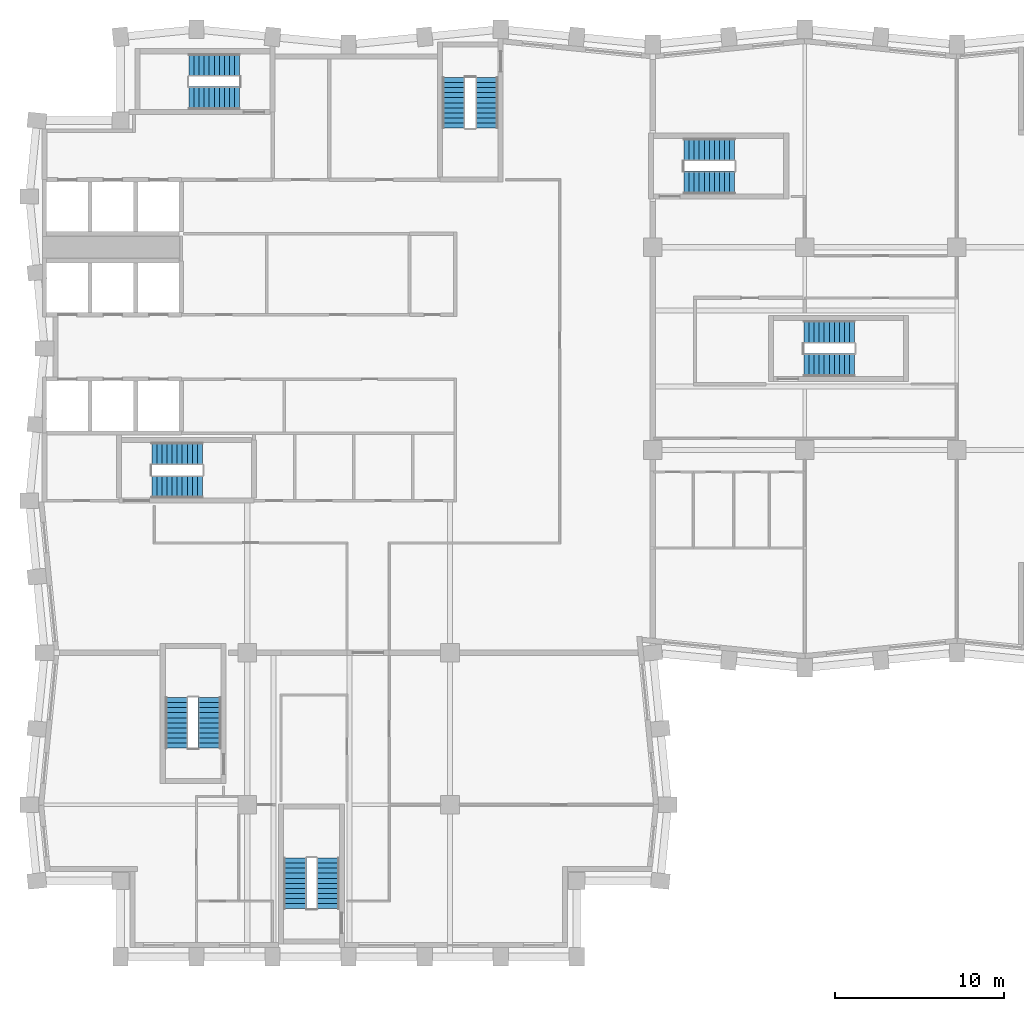
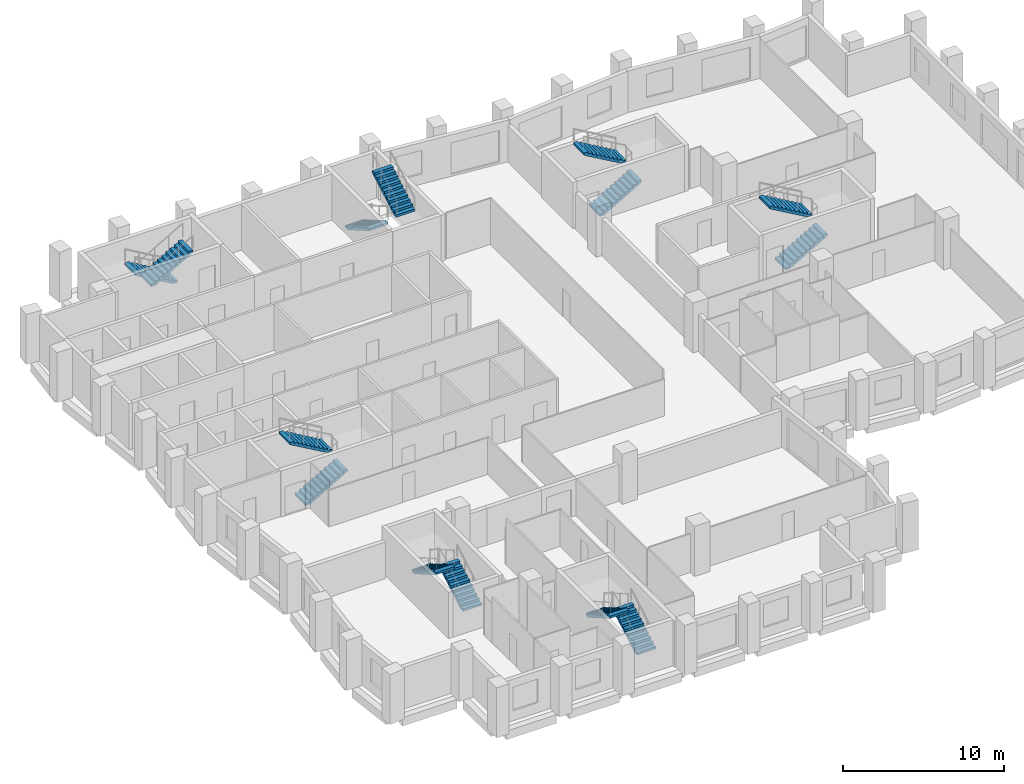
# One storey, part 8 of 10: 14 stair flights, 7 elements without a shape of their own.
"""IFC4 building model written with IfcOpenShell, lengths in metres."""

from ifc_helpers import new_model, si_unit, direction, frame, origin, place, context, subcontext, project, spatial, polyline, outline, extrude, material, type_object, element, aggregate, save


model = new_model("IFC4")

# Units and contexts
model_context = context("Model", 3, precision=1e-05, world=origin(), true_north=direction((0.0, 1.0)))
body_context = subcontext(model_context, "Body", "Model", "MODEL_VIEW")
ifc_project = project(units=[si_unit("LENGTHUNIT", "METRE"), si_unit("AREAUNIT", "SQUARE_METRE"), si_unit("VOLUMEUNIT", "CUBIC_METRE"), si_unit("PLANEANGLEUNIT", "RADIAN"), si_unit("MASSUNIT", "GRAM", prefix="KILO")], contexts=[model_context])

# Site, building, storey
site_placement = place(None, origin())
site = spatial("IfcSite", under=ifc_project, at=site_placement, CompositionType="ELEMENT")
building_placement = place(site_placement, origin())
building = spatial("IfcBuilding", under=site, at=building_placement, Name="Brondeck Convention Tower", CompositionType="ELEMENT")
storey_placement = place(building_placement, frame((0.0, 0.0, 147.199951171875)))
storey = spatial("IfcBuildingStorey", under=building, at=storey_placement, Name="L35", CompositionType="ELEMENT", Elevation=147.199951171875)

# Stair, stair flights
ifc_material = material(Name="Precast concrete C50/60", Category="concrete")
stair_type = type_object("IfcStairType", Name="Core stair 22 risers 172.73 mm riser 300 mm going 1350 wide", PredefinedType="HALF_TURN_STAIR", material=ifc_material)
stair_1_placement = place(storey_placement, origin())
stair_1 = element("IfcStair", 1, at=stair_1_placement, inside=storey, type_object=stair_type, Name="ST-1 L35 stair", PredefinedType="HALF_TURN_STAIR")
stair_flight_type = type_object("IfcStairFlightType", Name="Core stair flight 22 risers 172.73 mm riser 300 mm going 1350 wide", PredefinedType="STRAIGHT", material=ifc_material)
stair_flight_1_placement = place(storey_placement, frame((6.35009765625, 36.824951171875, 0.0), z_axis=(0.0, 0.0, 1.0), x_axis=(1.0, 0.0, 0.0)))
stair_flight_1 = element("IfcStairFlight", 2, at=stair_flight_1_placement, type_object=stair_flight_type, Name="ST-1 flight 1", NumberOfRisers=11, NumberOfTreads=10, PredefinedType="STRAIGHT", RiserHeight=0.172727273, TreadLength=0.3, context=body_context, shape_type="SweptSolid", body=[
    extrude(outline(polyline([(0.0, 0.0), (0.0, 0.172607421875), (0.300048828125, 0.172607421875), (0.300048828125, 0.345458984375), (0.60009765625, 0.345458984375), (0.60009765625, 0.51806640625), (0.89990234375, 0.51806640625), (0.89990234375, 0.69091796875), (1.199951171875, 0.69091796875), (1.199951171875, 0.863525390625), (1.5, 0.863525390625), (1.5, 1.036376953125), (1.800048828125, 1.036376953125), (1.800048828125, 1.208984375), (2.10009765625, 1.208984375), (2.10009765625, 1.3818359375), (2.39990234375, 1.3818359375), (2.39990234375, 1.554443359375), (2.699951171875, 1.554443359375), (2.699951171875, 1.727294921875), (3.0, 1.727294921875), (3.0, 1.89990234375), (3.0, 1.55419921875), (0.300537109375, 0.0), (0.0, 0.0)])), frame((0.0, 0.675048828125, 0.0), z_axis=(0.0, -1.0, 0.0), x_axis=(1.0, 0.0, 0.0)), (0.0, 0.0, 1.0), 1.35009765625),
])
stair_flight_2_placement = place(storey_placement, frame((9.35009765625, 38.77490234375, 1.900146484375), z_axis=(0.0, 0.0, 1.0), x_axis=(-1.0, 0.0, 0.0)))
stair_flight_2 = element("IfcStairFlight", 3, at=stair_flight_2_placement, type_object=stair_flight_type, Name="ST-1 flight 2", NumberOfRisers=11, NumberOfTreads=10, PredefinedType="STRAIGHT", RiserHeight=0.172727273, TreadLength=0.3, context=body_context, shape_type="SweptSolid", body=[
    extrude(outline(polyline([(0.0, 0.0), (0.0, 0.172607421875), (0.300048828125, 0.172607421875), (0.300048828125, 0.345458984375), (0.60009765625, 0.345458984375), (0.60009765625, 0.51806640625), (0.89990234375, 0.51806640625), (0.89990234375, 0.69091796875), (1.199951171875, 0.69091796875), (1.199951171875, 0.863525390625), (1.5, 0.863525390625), (1.5, 1.036376953125), (1.800048828125, 1.036376953125), (1.800048828125, 1.208984375), (2.10009765625, 1.208984375), (2.10009765625, 1.3818359375), (2.39990234375, 1.3818359375), (2.39990234375, 1.554443359375), (2.699951171875, 1.554443359375), (2.699951171875, 1.727294921875), (3.0, 1.727294921875), (3.0, 1.89990234375), (3.0, 1.55419921875), (0.300537109375, 0.0), (0.0, 0.0)])), frame((0.0, 0.675048828125, 0.0), z_axis=(0.0, -1.0, 0.0), x_axis=(1.0, 0.0, 0.0)), (0.0, 0.0, 1.0), 1.35009765625),
])
aggregate(stair_1, [stair_flight_1, stair_flight_2])

stair_2_placement = place(storey_placement, origin())
stair_2 = element("IfcStair", 4, at=stair_2_placement, inside=storey, type_object=stair_type, Name="ST-2 L35 stair", PredefinedType="HALF_TURN_STAIR")
stair_flight_3_placement = place(storey_placement, frame((24.22509765625, 61.050048828125, 0.0), z_axis=(0.0, 0.0, 1.0), x_axis=(0.0, -1.0, 0.0)))
stair_flight_3 = element("IfcStairFlight", 5, at=stair_flight_3_placement, type_object=stair_flight_type, Name="ST-2 flight 1", NumberOfRisers=11, NumberOfTreads=10, PredefinedType="STRAIGHT", RiserHeight=0.172727273, TreadLength=0.3, context=body_context, shape_type="SweptSolid", body=[
    extrude(outline(polyline([(0.0, 0.0), (0.0, 0.172607421875), (0.300048828125, 0.172607421875), (0.300048828125, 0.345458984375), (0.60009765625, 0.345458984375), (0.60009765625, 0.51806640625), (0.89990234375, 0.51806640625), (0.89990234375, 0.69091796875), (1.199951171875, 0.69091796875), (1.199951171875, 0.863525390625), (1.5, 0.863525390625), (1.5, 1.036376953125), (1.800048828125, 1.036376953125), (1.800048828125, 1.208984375), (2.10009765625, 1.208984375), (2.10009765625, 1.3818359375), (2.39990234375, 1.3818359375), (2.39990234375, 1.554443359375), (2.699951171875, 1.554443359375), (2.699951171875, 1.727294921875), (3.0, 1.727294921875), (3.0, 1.89990234375), (3.0, 1.55419921875), (0.300537109375, 0.0), (0.0, 0.0)])), frame((0.0, 0.675048828125, 0.0), z_axis=(0.0, -1.0, 0.0), x_axis=(1.0, 0.0, 0.0)), (0.0, 0.0, 1.0), 1.35009765625),
])
stair_flight_4_placement = place(storey_placement, frame((26.175048828125, 58.050048828125, 1.900146484375), z_axis=(0.0, 0.0, 1.0), x_axis=(0.0, 1.0, 0.0)))
stair_flight_4 = element("IfcStairFlight", 6, at=stair_flight_4_placement, type_object=stair_flight_type, Name="ST-2 flight 2", NumberOfRisers=11, NumberOfTreads=10, PredefinedType="STRAIGHT", RiserHeight=0.172727273, TreadLength=0.3, context=body_context, shape_type="SweptSolid", body=[
    extrude(outline(polyline([(0.0, 0.0), (0.0, 0.172607421875), (0.300048828125, 0.172607421875), (0.300048828125, 0.345458984375), (0.60009765625, 0.345458984375), (0.60009765625, 0.51806640625), (0.89990234375, 0.51806640625), (0.89990234375, 0.69091796875), (1.199951171875, 0.69091796875), (1.199951171875, 0.863525390625), (1.5, 0.863525390625), (1.5, 1.036376953125), (1.800048828125, 1.036376953125), (1.800048828125, 1.208984375), (2.10009765625, 1.208984375), (2.10009765625, 1.3818359375), (2.39990234375, 1.3818359375), (2.39990234375, 1.554443359375), (2.699951171875, 1.554443359375), (2.699951171875, 1.727294921875), (3.0, 1.727294921875), (3.0, 1.89990234375), (3.0, 1.55419921875), (0.300537109375, 0.0), (0.0, 0.0)])), frame((0.0, 0.675048828125, 0.0), z_axis=(0.0, -1.0, 0.0), x_axis=(1.0, 0.0, 0.0)), (0.0, 0.0, 1.0), 1.35009765625),
])
aggregate(stair_2, [stair_flight_3, stair_flight_4])

stair_3_placement = place(storey_placement, origin())
stair_3 = element("IfcStair", 7, at=stair_3_placement, inside=storey, type_object=stair_type, Name="ST-3 L35 stair", PredefinedType="HALF_TURN_STAIR")
stair_flight_5_placement = place(storey_placement, frame((11.550048828125, 61.77490234375, 0.0), z_axis=(0.0, 0.0, 1.0), x_axis=(-1.0, 0.0, 0.0)))
stair_flight_5 = element("IfcStairFlight", 8, at=stair_flight_5_placement, type_object=stair_flight_type, Name="ST-3 flight 1", NumberOfRisers=11, NumberOfTreads=10, PredefinedType="STRAIGHT", RiserHeight=0.172727273, TreadLength=0.3, context=body_context, shape_type="SweptSolid", body=[
    extrude(outline(polyline([(0.0, 0.0), (0.0, 0.172607421875), (0.300048828125, 0.172607421875), (0.300048828125, 0.345458984375), (0.60009765625, 0.345458984375), (0.60009765625, 0.51806640625), (0.89990234375, 0.51806640625), (0.89990234375, 0.69091796875), (1.199951171875, 0.69091796875), (1.199951171875, 0.863525390625), (1.5, 0.863525390625), (1.5, 1.036376953125), (1.800048828125, 1.036376953125), (1.800048828125, 1.208984375), (2.10009765625, 1.208984375), (2.10009765625, 1.3818359375), (2.39990234375, 1.3818359375), (2.39990234375, 1.554443359375), (2.699951171875, 1.554443359375), (2.699951171875, 1.727294921875), (3.0, 1.727294921875), (3.0, 1.89990234375), (3.0, 1.55419921875), (0.300537109375, 0.0), (0.0, 0.0)])), frame((0.0, 0.675048828125, 0.0), z_axis=(0.0, -1.0, 0.0), x_axis=(1.0, 0.0, 0.0)), (0.0, 0.0, 1.0), 1.35009765625),
])
stair_flight_6_placement = place(storey_placement, frame((8.550048828125, 59.824951171875, 1.900146484375), z_axis=(0.0, 0.0, 1.0), x_axis=(1.0, 0.0, 0.0)))
stair_flight_6 = element("IfcStairFlight", 9, at=stair_flight_6_placement, type_object=stair_flight_type, Name="ST-3 flight 2", NumberOfRisers=11, NumberOfTreads=10, PredefinedType="STRAIGHT", RiserHeight=0.172727273, TreadLength=0.3, context=body_context, shape_type="SweptSolid", body=[
    extrude(outline(polyline([(0.0, 0.0), (0.0, 0.172607421875), (0.300048828125, 0.172607421875), (0.300048828125, 0.345458984375), (0.60009765625, 0.345458984375), (0.60009765625, 0.51806640625), (0.89990234375, 0.51806640625), (0.89990234375, 0.69091796875), (1.199951171875, 0.69091796875), (1.199951171875, 0.863525390625), (1.5, 0.863525390625), (1.5, 1.036376953125), (1.800048828125, 1.036376953125), (1.800048828125, 1.208984375), (2.10009765625, 1.208984375), (2.10009765625, 1.3818359375), (2.39990234375, 1.3818359375), (2.39990234375, 1.554443359375), (2.699951171875, 1.554443359375), (2.699951171875, 1.727294921875), (3.0, 1.727294921875), (3.0, 1.89990234375), (3.0, 1.55419921875), (0.300537109375, 0.0), (0.0, 0.0)])), frame((0.0, 0.675048828125, 0.0), z_axis=(0.0, -1.0, 0.0), x_axis=(1.0, 0.0, 0.0)), (0.0, 0.0, 1.0), 1.35009765625),
])
aggregate(stair_3, [stair_flight_5, stair_flight_6])

stair_4_placement = place(storey_placement, origin())
stair_4 = element("IfcStair", 10, at=stair_4_placement, inside=storey, type_object=stair_type, Name="ST-AE L35 stair", PredefinedType="HALF_TURN_STAIR")
stair_flight_7_placement = place(storey_placement, frame((37.85009765625, 54.824951171875, 0.0), z_axis=(0.0, 0.0, 1.0), x_axis=(1.0, 0.0, 0.0)))
stair_flight_7 = element("IfcStairFlight", 11, at=stair_flight_7_placement, type_object=stair_flight_type, Name="ST-AE flight 1", NumberOfRisers=11, NumberOfTreads=10, PredefinedType="STRAIGHT", RiserHeight=0.172727273, TreadLength=0.3, context=body_context, shape_type="SweptSolid", body=[
    extrude(outline(polyline([(0.0, 0.0), (0.0, 0.172607421875), (0.300048828125, 0.172607421875), (0.300048828125, 0.345458984375), (0.60009765625, 0.345458984375), (0.60009765625, 0.51806640625), (0.89990234375, 0.51806640625), (0.89990234375, 0.69091796875), (1.199951171875, 0.69091796875), (1.199951171875, 0.863525390625), (1.5, 0.863525390625), (1.5, 1.036376953125), (1.800048828125, 1.036376953125), (1.800048828125, 1.208984375), (2.10009765625, 1.208984375), (2.10009765625, 1.3818359375), (2.39990234375, 1.3818359375), (2.39990234375, 1.554443359375), (2.699951171875, 1.554443359375), (2.699951171875, 1.727294921875), (3.0, 1.727294921875), (3.0, 1.89990234375), (3.0, 1.55419921875), (0.300537109375, 0.0), (0.0, 0.0)])), frame((0.0, 0.675048828125, 0.0), z_axis=(0.0, -1.0, 0.0), x_axis=(1.0, 0.0, 0.0)), (0.0, 0.0, 1.0), 1.35009765625),
])
stair_flight_8_placement = place(storey_placement, frame((40.85009765625, 56.77490234375, 1.900146484375), z_axis=(0.0, 0.0, 1.0), x_axis=(-1.0, 0.0, 0.0)))
stair_flight_8 = element("IfcStairFlight", 12, at=stair_flight_8_placement, type_object=stair_flight_type, Name="ST-AE flight 2", NumberOfRisers=11, NumberOfTreads=10, PredefinedType="STRAIGHT", RiserHeight=0.172727273, TreadLength=0.3, context=body_context, shape_type="SweptSolid", body=[
    extrude(outline(polyline([(0.0, 0.0), (0.0, 0.172607421875), (0.300048828125, 0.172607421875), (0.300048828125, 0.345458984375), (0.60009765625, 0.345458984375), (0.60009765625, 0.51806640625), (0.89990234375, 0.51806640625), (0.89990234375, 0.69091796875), (1.199951171875, 0.69091796875), (1.199951171875, 0.863525390625), (1.5, 0.863525390625), (1.5, 1.036376953125), (1.800048828125, 1.036376953125), (1.800048828125, 1.208984375), (2.10009765625, 1.208984375), (2.10009765625, 1.3818359375), (2.39990234375, 1.3818359375), (2.39990234375, 1.554443359375), (2.699951171875, 1.554443359375), (2.699951171875, 1.727294921875), (3.0, 1.727294921875), (3.0, 1.89990234375), (3.0, 1.55419921875), (0.300537109375, 0.0), (0.0, 0.0)])), frame((0.0, 0.675048828125, 0.0), z_axis=(0.0, -1.0, 0.0), x_axis=(1.0, 0.0, 0.0)), (0.0, 0.0, 1.0), 1.35009765625),
])
aggregate(stair_4, [stair_flight_7, stair_flight_8])

stair_5_placement = place(storey_placement, origin())
stair_5 = element("IfcStair", 13, at=stair_5_placement, inside=storey, type_object=stair_type, Name="ST-BE L35 stair", PredefinedType="HALF_TURN_STAIR")
stair_flight_9_placement = place(storey_placement, frame((9.77490234375, 21.35009765625, 0.0), z_axis=(0.0, 0.0, 1.0), x_axis=(0.0, 1.0, 0.0)))
stair_flight_9 = element("IfcStairFlight", 14, at=stair_flight_9_placement, type_object=stair_flight_type, Name="ST-BE flight 1", NumberOfRisers=11, NumberOfTreads=10, PredefinedType="STRAIGHT", RiserHeight=0.172727273, TreadLength=0.3, context=body_context, shape_type="SweptSolid", body=[
    extrude(outline(polyline([(0.0, 0.0), (0.0, 0.172607421875), (0.300048828125, 0.172607421875), (0.300048828125, 0.345458984375), (0.60009765625, 0.345458984375), (0.60009765625, 0.51806640625), (0.89990234375, 0.51806640625), (0.89990234375, 0.69091796875), (1.199951171875, 0.69091796875), (1.199951171875, 0.863525390625), (1.5, 0.863525390625), (1.5, 1.036376953125), (1.800048828125, 1.036376953125), (1.800048828125, 1.208984375), (2.10009765625, 1.208984375), (2.10009765625, 1.3818359375), (2.39990234375, 1.3818359375), (2.39990234375, 1.554443359375), (2.699951171875, 1.554443359375), (2.699951171875, 1.727294921875), (3.0, 1.727294921875), (3.0, 1.89990234375), (3.0, 1.55419921875), (0.300537109375, 0.0), (0.0, 0.0)])), frame((0.0, 0.675048828125, 0.0), z_axis=(0.0, -1.0, 0.0), x_axis=(1.0, 0.0, 0.0)), (0.0, 0.0, 1.0), 1.35009765625),
])
stair_flight_10_placement = place(storey_placement, frame((7.824951171875, 24.35009765625, 1.900146484375), z_axis=(0.0, 0.0, 1.0), x_axis=(0.0, -1.0, 0.0)))
stair_flight_10 = element("IfcStairFlight", 15, at=stair_flight_10_placement, type_object=stair_flight_type, Name="ST-BE flight 2", NumberOfRisers=11, NumberOfTreads=10, PredefinedType="STRAIGHT", RiserHeight=0.172727273, TreadLength=0.3, context=body_context, shape_type="SweptSolid", body=[
    extrude(outline(polyline([(0.0, 0.0), (0.0, 0.172607421875), (0.300048828125, 0.172607421875), (0.300048828125, 0.345458984375), (0.60009765625, 0.345458984375), (0.60009765625, 0.51806640625), (0.89990234375, 0.51806640625), (0.89990234375, 0.69091796875), (1.199951171875, 0.69091796875), (1.199951171875, 0.863525390625), (1.5, 0.863525390625), (1.5, 1.036376953125), (1.800048828125, 1.036376953125), (1.800048828125, 1.208984375), (2.10009765625, 1.208984375), (2.10009765625, 1.3818359375), (2.39990234375, 1.3818359375), (2.39990234375, 1.554443359375), (2.699951171875, 1.554443359375), (2.699951171875, 1.727294921875), (3.0, 1.727294921875), (3.0, 1.89990234375), (3.0, 1.55419921875), (0.300537109375, 0.0), (0.0, 0.0)])), frame((0.0, 0.675048828125, 0.0), z_axis=(0.0, -1.0, 0.0), x_axis=(1.0, 0.0, 0.0)), (0.0, 0.0, 1.0), 1.35009765625),
])
aggregate(stair_5, [stair_flight_9, stair_flight_10])

stair_6_placement = place(storey_placement, origin())
stair_6 = element("IfcStair", 16, at=stair_6_placement, inside=storey, type_object=stair_type, Name="ST-AF L35 stair", PredefinedType="HALF_TURN_STAIR")
stair_flight_11_placement = place(storey_placement, frame((44.949951171875, 44.02490234375, 0.0), z_axis=(0.0, 0.0, 1.0), x_axis=(1.0, 0.0, 0.0)))
stair_flight_11 = element("IfcStairFlight", 17, at=stair_flight_11_placement, type_object=stair_flight_type, Name="ST-AF flight 1", NumberOfRisers=11, NumberOfTreads=10, PredefinedType="STRAIGHT", RiserHeight=0.172727273, TreadLength=0.3, context=body_context, shape_type="SweptSolid", body=[
    extrude(outline(polyline([(0.0, 0.0), (0.0, 0.172607421875), (0.300048828125, 0.172607421875), (0.300048828125, 0.345458984375), (0.60009765625, 0.345458984375), (0.60009765625, 0.51806640625), (0.89990234375, 0.51806640625), (0.89990234375, 0.69091796875), (1.199951171875, 0.69091796875), (1.199951171875, 0.863525390625), (1.5, 0.863525390625), (1.5, 1.036376953125), (1.800048828125, 1.036376953125), (1.800048828125, 1.208984375), (2.10009765625, 1.208984375), (2.10009765625, 1.3818359375), (2.39990234375, 1.3818359375), (2.39990234375, 1.554443359375), (2.699951171875, 1.554443359375), (2.699951171875, 1.727294921875), (3.0, 1.727294921875), (3.0, 1.89990234375), (3.0, 1.55419921875), (0.300537109375, 0.0), (0.0, 0.0)])), frame((0.0, 0.675048828125, 0.0), z_axis=(0.0, -1.0, 0.0), x_axis=(1.0, 0.0, 0.0)), (0.0, 0.0, 1.0), 1.35009765625),
])
stair_flight_12_placement = place(storey_placement, frame((47.949951171875, 45.97509765625, 1.900146484375), z_axis=(0.0, 0.0, 1.0), x_axis=(-1.0, 0.0, 0.0)))
stair_flight_12 = element("IfcStairFlight", 18, at=stair_flight_12_placement, type_object=stair_flight_type, Name="ST-AF flight 2", NumberOfRisers=11, NumberOfTreads=10, PredefinedType="STRAIGHT", RiserHeight=0.172727273, TreadLength=0.3, context=body_context, shape_type="SweptSolid", body=[
    extrude(outline(polyline([(0.0, 0.0), (0.0, 0.172607421875), (0.300048828125, 0.172607421875), (0.300048828125, 0.345458984375), (0.60009765625, 0.345458984375), (0.60009765625, 0.51806640625), (0.89990234375, 0.51806640625), (0.89990234375, 0.69091796875), (1.199951171875, 0.69091796875), (1.199951171875, 0.863525390625), (1.5, 0.863525390625), (1.5, 1.036376953125), (1.800048828125, 1.036376953125), (1.800048828125, 1.208984375), (2.10009765625, 1.208984375), (2.10009765625, 1.3818359375), (2.39990234375, 1.3818359375), (2.39990234375, 1.554443359375), (2.699951171875, 1.554443359375), (2.699951171875, 1.727294921875), (3.0, 1.727294921875), (3.0, 1.89990234375), (3.0, 1.55419921875), (0.300537109375, 0.0), (0.0, 0.0)])), frame((0.0, 0.675048828125, 0.0), z_axis=(0.0, -1.0, 0.0), x_axis=(1.0, 0.0, 0.0)), (0.0, 0.0, 1.0), 1.35009765625),
])
aggregate(stair_6, [stair_flight_11, stair_flight_12])

stair_7_placement = place(storey_placement, origin())
stair_7 = element("IfcStair", 19, at=stair_7_placement, inside=storey, type_object=stair_type, Name="ST-BF L35 stair", PredefinedType="HALF_TURN_STAIR")
stair_flight_13_placement = place(storey_placement, frame((16.77490234375, 11.85009765625, 0.0), z_axis=(0.0, 0.0, 1.0), x_axis=(0.0, 1.0, 0.0)))
stair_flight_13 = element("IfcStairFlight", 20, at=stair_flight_13_placement, type_object=stair_flight_type, Name="ST-BF flight 1", NumberOfRisers=11, NumberOfTreads=10, PredefinedType="STRAIGHT", RiserHeight=0.172727273, TreadLength=0.3, context=body_context, shape_type="SweptSolid", body=[
    extrude(outline(polyline([(0.0, 0.0), (0.0, 0.172607421875), (0.300048828125, 0.172607421875), (0.300048828125, 0.345458984375), (0.60009765625, 0.345458984375), (0.60009765625, 0.51806640625), (0.89990234375, 0.51806640625), (0.89990234375, 0.69091796875), (1.199951171875, 0.69091796875), (1.199951171875, 0.863525390625), (1.5, 0.863525390625), (1.5, 1.036376953125), (1.800048828125, 1.036376953125), (1.800048828125, 1.208984375), (2.10009765625, 1.208984375), (2.10009765625, 1.3818359375), (2.39990234375, 1.3818359375), (2.39990234375, 1.554443359375), (2.699951171875, 1.554443359375), (2.699951171875, 1.727294921875), (3.0, 1.727294921875), (3.0, 1.89990234375), (3.0, 1.55419921875), (0.300537109375, 0.0), (0.0, 0.0)])), frame((0.0, 0.675048828125, 0.0), z_axis=(0.0, -1.0, 0.0), x_axis=(1.0, 0.0, 0.0)), (0.0, 0.0, 1.0), 1.35009765625),
])
stair_flight_14_placement = place(storey_placement, frame((14.824951171875, 14.85009765625, 1.900146484375), z_axis=(0.0, 0.0, 1.0), x_axis=(0.0, -1.0, 0.0)))
stair_flight_14 = element("IfcStairFlight", 21, at=stair_flight_14_placement, type_object=stair_flight_type, Name="ST-BF flight 2", NumberOfRisers=11, NumberOfTreads=10, PredefinedType="STRAIGHT", RiserHeight=0.172727273, TreadLength=0.3, context=body_context, shape_type="SweptSolid", body=[
    extrude(outline(polyline([(0.0, 0.0), (0.0, 0.172607421875), (0.300048828125, 0.172607421875), (0.300048828125, 0.345458984375), (0.60009765625, 0.345458984375), (0.60009765625, 0.51806640625), (0.89990234375, 0.51806640625), (0.89990234375, 0.69091796875), (1.199951171875, 0.69091796875), (1.199951171875, 0.863525390625), (1.5, 0.863525390625), (1.5, 1.036376953125), (1.800048828125, 1.036376953125), (1.800048828125, 1.208984375), (2.10009765625, 1.208984375), (2.10009765625, 1.3818359375), (2.39990234375, 1.3818359375), (2.39990234375, 1.554443359375), (2.699951171875, 1.554443359375), (2.699951171875, 1.727294921875), (3.0, 1.727294921875), (3.0, 1.89990234375), (3.0, 1.55419921875), (0.300537109375, 0.0), (0.0, 0.0)])), frame((0.0, 0.675048828125, 0.0), z_axis=(0.0, -1.0, 0.0), x_axis=(1.0, 0.0, 0.0)), (0.0, 0.0, 1.0), 1.35009765625),
])
aggregate(stair_7, [stair_flight_13, stair_flight_14])

save(model, "model.ifc")
